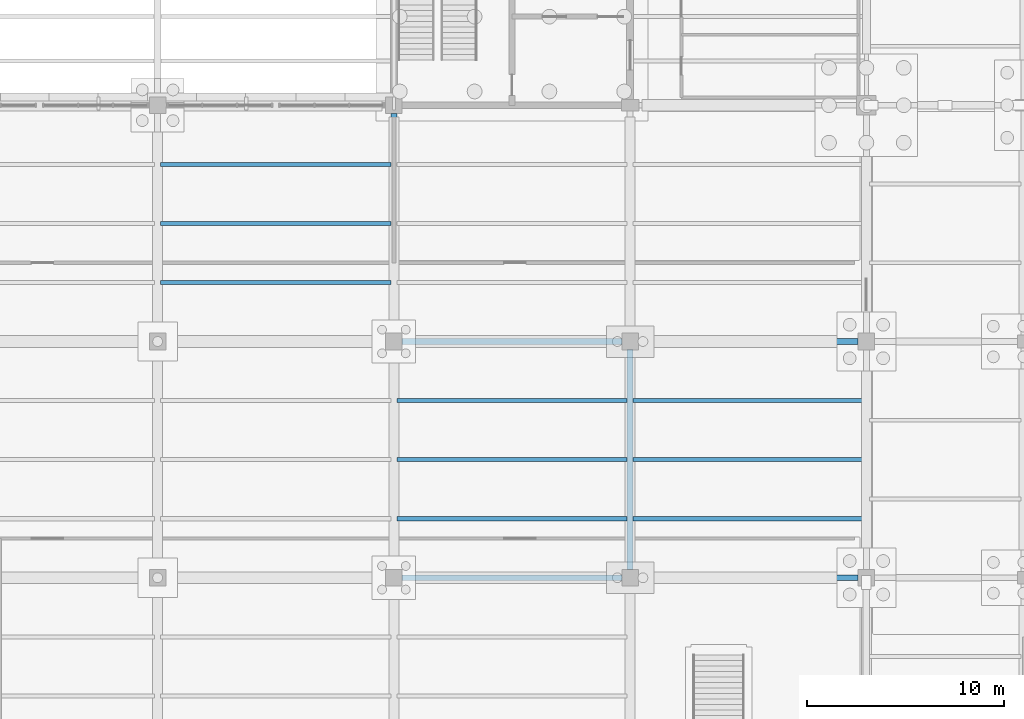
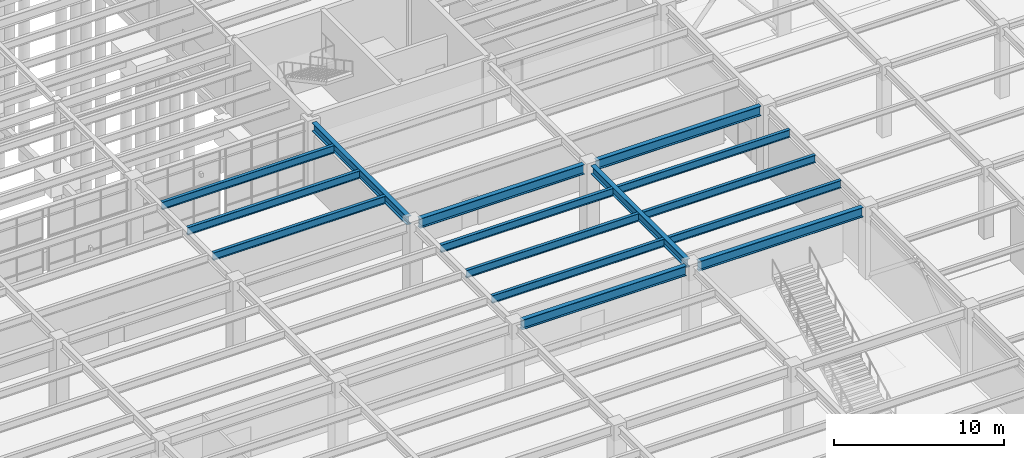
# One storey, part 38 of 85: 15 beams.
"""IFC4 building model written with IfcOpenShell, lengths in metres."""

import ifcopenshell
import ifcopenshell.guid

model = None  # the IFC model being written
_history = None  # IfcOwnerHistory: only IFC2X3 demands one
_inside = {}  # id of a spatial element -> (the spatial element, [elements in it])
_under = {}  # id of a project, library or spatial element -> (it, [spatial elements below it])
_declared = {}  # id of a project -> (the project, [libraries it declares])
_typed = {}  # id of a type object -> (the type object, [elements of that type])
_made_of = {}  # id of a material, layer set ... -> (it, [elements and type objects made of it])


def new_model(schema):
    """Start an empty IFC model of exactly this schema.

    Asked for "IFC4X3", IfcOpenShell would pick the latest addendum, in which some entities
    have other attributes; the version numbers below select the first issue.
    IFC2X3 requires an IfcOwnerHistory on every rooted entity: one is made here for all.
    """
    global model, _history
    if schema == "IFC4X3":
        model = ifcopenshell.file(schema_version=(4, 3, 0, 0))
    else:
        model = ifcopenshell.file(schema=schema)
    _inside.clear()
    _under.clear()
    _declared.clear()
    _typed.clear()
    _made_of.clear()
    _history = None
    if model.schema == "IFC2X3":
        org = make("IfcOrganization", Name="unknown")
        user = make(
            "IfcPersonAndOrganization",
            ThePerson=make("IfcPerson", FamilyName="unknown"),
            TheOrganization=org,
        )
        app = make(
            "IfcApplication",
            ApplicationDeveloper=org,
            Version="unknown",
            ApplicationFullName="unknown",
            ApplicationIdentifier="unknown",
        )
        _history = make(
            "IfcOwnerHistory",
            OwningUser=user,
            OwningApplication=app,
            ChangeAction="ADDED",
            CreationDate=0,
        )
    return model


def make(cls, **values):
    """One entity of the class cls with the attributes given. An attribute that is None is left unset."""
    return model.create_entity(
        cls, **{name: value for name, value in values.items() if value is not None}
    )


def rooted(cls, **values):
    """An entity with a GlobalId (a new one), such as an element, a storey or a relation."""
    return make(cls, GlobalId=ifcopenshell.guid.new(), OwnerHistory=_history, **values)


def si_unit(unit_type, name, prefix=None):
    """IfcSIUnit, for example si_unit("LENGTHUNIT", "METRE", prefix="MILLI")."""
    return make("IfcSIUnit", UnitType=unit_type, Prefix=prefix, Name=name)


def assignment(units):
    """IfcUnitAssignment: the units of a project."""
    return None if units is None else make("IfcUnitAssignment", Units=units)


def point(xyz):
    """IfcCartesianPoint."""
    return None if xyz is None else make("IfcCartesianPoint", Coordinates=xyz)


def direction(xyz):
    """IfcDirection."""
    return None if xyz is None else make("IfcDirection", DirectionRatios=xyz)


def frame(location, z_axis=None, x_axis=None):
    """IfcAxis2Placement3D, a coordinate frame: its origin and axes. An axis left out is left unset."""
    return make(
        "IfcAxis2Placement3D",
        Location=point(location),
        Axis=direction(z_axis),
        RefDirection=direction(x_axis),
    )


def frame_2d(location, x_axis=None):
    """IfcAxis2Placement2D, a coordinate frame in the plane: its origin and x axis."""
    return make(
        "IfcAxis2Placement2D", Location=point(location), RefDirection=direction(x_axis)
    )


def origin():
    """The frame at (0, 0, 0) with its axes left unset."""
    return frame((0.0, 0.0, 0.0))


def origin_2d():
    """The frame at (0, 0) in the plane with its x axis left unset."""
    return frame_2d((0.0, 0.0))


def place(relative_to, where):
    """IfcLocalPlacement: puts the frame where relative to a parent placement (None: the world)."""
    return make(
        "IfcLocalPlacement", PlacementRelTo=relative_to, RelativePlacement=where
    )


def context(
    kind, dimensions, precision=None, world=None, true_north=None, identifier=None
):
    """IfcGeometricRepresentationContext, for example the 3D "Model" context."""
    return make(
        "IfcGeometricRepresentationContext",
        ContextIdentifier=identifier,
        ContextType=kind,
        CoordinateSpaceDimension=dimensions,
        Precision=precision,
        WorldCoordinateSystem=world,
        TrueNorth=true_north,
    )


def subcontext(parent, identifier, kind, view, scale=None):
    """IfcGeometricRepresentationSubContext, for example "Body" below "Model"."""
    return make(
        "IfcGeometricRepresentationSubContext",
        ContextIdentifier=identifier,
        ContextType=kind,
        ParentContext=parent,
        TargetScale=scale,
        TargetView=view,
    )


def project(units=None, contexts=None):
    """IfcProject with its units and contexts."""
    return rooted(
        "IfcProject",
        Name="project",
        RepresentationContexts=contexts,
        UnitsInContext=assignment(units),
    )


def spatial(cls, under=None, at=None, **own):
    """A site, building, storey or space (cls), placed at a placement, below another one or the project."""
    s = rooted(cls, ObjectPlacement=at, **own)
    if under is not None:
        _under.setdefault(under.id(), (under, []))[1].append(s)
    return s


def profile(cls, at=None, kind="AREA", **sizes):
    """A parametric profile (cls). Its sizes go by their IFC names, for example OverallWidth=200.0."""
    return make(cls, ProfileType=kind, Position=at, **sizes)


def i_section(**sizes):
    """IfcIShapeProfileDef."""
    return profile("IfcIShapeProfileDef", **sizes)


def extrude(swept, where, along, depth):
    """IfcExtrudedAreaSolid: the profile swept, set in the frame where, extruded along a direction by depth."""
    return make(
        "IfcExtrudedAreaSolid",
        SweptArea=swept,
        Position=where,
        ExtrudedDirection=direction(along),
        Depth=depth,
    )


def shape(context_of_items, identifier, shape_type, items):
    """IfcShapeRepresentation: the items that make up one representation, for example the "Body"."""
    return make(
        "IfcShapeRepresentation",
        ContextOfItems=context_of_items,
        RepresentationIdentifier=identifier,
        RepresentationType=shape_type,
        Items=items,
    )


def material(Name=None, Category=None):
    """IfcMaterial."""
    return make("IfcMaterial", Name=Name, Category=Category)


def material_profile(
    of_material, cross_section, Name=None, Category=None, Priority=None
):
    """IfcMaterialProfile: a cross section and its material."""
    return make(
        "IfcMaterialProfile",
        Name=Name,
        Material=of_material,
        Profile=cross_section,
        Priority=Priority,
        Category=Category,
    )


def profile_set(profiles, Name=None, composite=None):
    """IfcMaterialProfileSet."""
    return make(
        "IfcMaterialProfileSet",
        Name=Name,
        MaterialProfiles=profiles,
        CompositeProfile=composite,
    )


def made_of(thing, what):
    """Note that an element or type object is made of a material, layer set ...; save() writes the relation."""
    if what is not None:
        _made_of.setdefault(what.id(), (what, []))[1].append(thing)
    return thing


def type_object(cls, material=None, **own):
    """A type object (cls), such as IfcWallType, which elements share."""
    return made_of(rooted(cls, **own), material)


def element(
    cls,
    number,
    at=None,
    inside=None,
    cuts=None,
    type_object=None,
    material=None,
    context=None,
    identifier="Body",
    shape_type=None,
    held_by="IfcProductDefinitionShape",
    body=None,
    shapes=None,
    **own,
):
    """One element of the class cls, such as IfcWall. Its Tag is "e" and its number.

    at: its placement. inside: the storey or other place that contains it. cuts: it is an
    opening in that element (IfcRelVoidsElement). A single representation is given by context,
    identifier, shape_type and body (its items); several are given by shapes. held_by: the class
    of the entity that holds the representations. save() writes the other relations.
    """
    e = rooted(cls, Tag="e%d" % number, ObjectPlacement=at, **own)
    if body is not None:
        shapes = [shape(context, identifier, shape_type, body)]
    if shapes is not None:
        e.Representation = make(held_by, Representations=shapes)
    if inside is not None:
        _inside.setdefault(inside.id(), (inside, []))[1].append(e)
    if cuts is not None:
        rooted(
            "IfcRelVoidsElement", RelatingBuildingElement=cuts, RelatedOpeningElement=e
        )
    if type_object is not None:
        _typed.setdefault(type_object.id(), (type_object, []))[1].append(e)
    return made_of(e, material)


def aggregate(whole, parts):
    """IfcRelAggregates: a whole, such as a stair, and the parts it consists of."""
    return rooted("IfcRelAggregates", RelatingObject=whole, RelatedObjects=parts)


def save(model, path):
    """Write the relations noted so far, then the file.

    IfcRelAggregates (storeys below a building ...), IfcRelContainedInSpatialStructure (elements
    in a storey), IfcRelDefinesByType, IfcRelAssociatesMaterial and IfcRelDeclares: one each for
    every whole, place, type object, material and project.
    """
    for whole, parts in _under.values():
        aggregate(whole, parts)
    for where, things in _inside.values():
        rooted(
            "IfcRelContainedInSpatialStructure",
            RelatedElements=things,
            RelatingStructure=where,
        )
    for kind, things in _typed.values():
        rooted("IfcRelDefinesByType", RelatedObjects=things, RelatingType=kind)
    for what, things in _made_of.values():
        rooted("IfcRelAssociatesMaterial", RelatedObjects=things, RelatingMaterial=what)
    for by, libraries in _declared.values():
        rooted("IfcRelDeclares", RelatingContext=by, RelatedDefinitions=libraries)
    model.write(path)


model = new_model("IFC4")

# Units and contexts
model_context = context("Model", 3, precision=1e-05, world=origin(), true_north=direction((0.0, 1.0)))
body_context = subcontext(model_context, "Body", "Model", "MODEL_VIEW")
ifc_project = project(units=[si_unit("LENGTHUNIT", "METRE"), si_unit("AREAUNIT", "SQUARE_METRE"), si_unit("VOLUMEUNIT", "CUBIC_METRE"), si_unit("PLANEANGLEUNIT", "RADIAN"), si_unit("MASSUNIT", "GRAM", prefix="KILO")], contexts=[model_context])

# Site, building, storey
site_placement = place(None, origin())
site = spatial("IfcSite", under=ifc_project, at=site_placement, CompositionType="ELEMENT")
building_placement = place(site_placement, origin())
building = spatial("IfcBuilding", under=site, at=building_placement, Name="Keelwater Ferry Terminal", CompositionType="ELEMENT")
storey_placement = place(building_placement, origin())
storey = spatial("IfcBuildingStorey", under=building, at=storey_placement, Name="L00", CompositionType="ELEMENT", Elevation=0.0)

# Beams
ifc_material_1 = material(Name="Steel S355", Category="steel")
ifc_material_profile_1 = material_profile(ifc_material_1, i_section(OverallWidth=0.300048828125, OverallDepth=0.699951171875, WebThickness=0.01708984375, FlangeThickness=0.031982421875, at=origin_2d()), Name="HEB 700")
ifc_profile_set_1 = profile_set([ifc_material_profile_1], Name="Steel S355")
beam_type_1 = type_object("IfcBeamType", Name="G2 HEB 700", PredefinedType="BEAM", material=ifc_profile_set_1)
for number, where, z_axis, x_axis, name in (
    (1, (108.416015625, 66.0, 4.7099609375), (1.0, 0.0, 0.0), (0.0, 1.0, 0.0), "Beam BM-L00-0059"),
    (2, (120.416015625, 66.0, 4.7099609375), (1.0, 0.0, 0.0), (0.0, 1.0, 0.0), "Beam BM-L00-0060"),
    (3, (108.416015625, 78.0, 4.7099609375), (1.0, 0.0, 0.0), (0.0, 1.0, 0.0), "Beam BM-L00-0077"),
    (4, (120.416015625, 78.0, 4.7099609375), (1.0, 0.0, 0.0), (0.0, 1.0, 0.0), "Beam BM-L00-0078"),
):
    element("IfcBeam", number, at=place(storey_placement, frame(where, z_axis=z_axis, x_axis=x_axis)), inside=storey, type_object=beam_type_1, Name=name, PredefinedType="BEAM", context=body_context, shape_type="SweptSolid", body=[
        extrude(i_section(OverallWidth=0.300048828125, OverallDepth=0.699951171875, WebThickness=0.01708984375, FlangeThickness=0.031982421875, at=origin_2d()), origin(), (0.0, 0.0, 1.0), 11.16796875),
    ])
ifc_material_2 = material(Name="Steel S355", Category="steel")
ifc_material_profile_2 = material_profile(ifc_material_2, i_section(OverallWidth=0.300048828125, OverallDepth=0.60009765625, WebThickness=0.015380859375, FlangeThickness=0.030029296875, at=origin_2d()), Name="HEB 600")
ifc_profile_set_2 = profile_set([ifc_material_profile_2], Name="Steel S355")
beam_type_2 = type_object("IfcBeamType", Name="G3 HEB 600", PredefinedType="BEAM", material=ifc_profile_set_2)
beam_1_placement = place(storey_placement, frame((120.0, 66.416015625, 4.760009765625), z_axis=(0.0, 1.0, 0.0), x_axis=(-1.0, 0.0, 0.0)))
element("IfcBeam", 5, at=beam_1_placement, inside=storey, type_object=beam_type_2, Name="Beam BM-L00-0238", PredefinedType="BEAM", context=body_context, shape_type="SweptSolid", body=[
    extrude(i_section(OverallWidth=0.300048828125, OverallDepth=0.60009765625, WebThickness=0.015380859375, FlangeThickness=0.030029296875, at=origin_2d()), origin(), (0.0, 0.0, 1.0), 11.16796875),
])
ifc_material_3 = material(Name="Steel S355", Category="steel")
ifc_material_profile_3 = material_profile(ifc_material_3, i_section(OverallWidth=0.300048828125, OverallDepth=0.60009765625, WebThickness=0.015380859375, FlangeThickness=0.030029296875, at=origin_2d()), Name="HEB 600")
ifc_profile_set_3 = profile_set([ifc_material_profile_3], Name="Steel S355")
beam_type_3 = type_object("IfcBeamType", Name="G3E HEB 600", PredefinedType="BEAM", material=ifc_profile_set_3)
beam_2_placement = place(storey_placement, frame((108.0, 78.416015625, 4.760009765625), z_axis=(0.0, 1.0, 0.0), x_axis=(-1.0, 0.0, 0.0)))
element("IfcBeam", 6, at=beam_2_placement, inside=storey, type_object=beam_type_3, Name="Beam BM-L00-0231", PredefinedType="BEAM", context=body_context, shape_type="SweptSolid", body=[
    extrude(i_section(OverallWidth=0.300048828125, OverallDepth=0.60009765625, WebThickness=0.015380859375, FlangeThickness=0.030029296875, at=origin_2d()), origin(), (0.0, 0.0, 1.0), 11.16796875),
])
ifc_material_4 = material(Name="Steel S355", Category="steel")
ifc_material_profile_4 = material_profile(ifc_material_4, i_section(OverallWidth=0.2099609375, OverallDepth=0.550048828125, WebThickness=0.010986328125, FlangeThickness=0.01708984375, at=origin_2d()), Name="IPE 550")
ifc_profile_set_4 = profile_set([ifc_material_profile_4], Name="Steel S355")
beam_type_4 = type_object("IfcBeamType", Name="J2 IPE 550", PredefinedType="JOIST", material=ifc_profile_set_4)
for number, where, z_axis, x_axis, name in (
    (7, (96.14990234375, 81.0, 4.784912109375), (1.0, 0.0, 0.0), (0.0, 1.0, 0.0), "Beam BM-L00-0447"),
    (8, (96.14990234375, 84.0, 4.784912109375), (1.0, 0.0, 0.0), (0.0, 1.0, 0.0), "Beam BM-L00-0448"),
    (9, (96.14990234375, 87.0, 4.784912109375), (1.0, 0.0, 0.0), (0.0, 1.0, 0.0), "Beam BM-L00-0449"),
    (10, (108.14990234375, 69.0, 4.784912109375), (1.0, 0.0, 0.0), (0.0, 1.0, 0.0), "Beam BM-L00-0468"),
    (11, (108.14990234375, 72.0, 4.784912109375), (1.0, 0.0, 0.0), (0.0, 1.0, 0.0), "Beam BM-L00-0469"),
    (12, (108.14990234375, 75.0, 4.784912109375), (1.0, 0.0, 0.0), (0.0, 1.0, 0.0), "Beam BM-L00-0470"),
    (13, (120.14990234375, 69.0, 4.784912109375), (1.0, 0.0, 0.0), (0.0, 1.0, 0.0), "Beam BM-L00-0485"),
    (14, (120.14990234375, 72.0, 4.784912109375), (1.0, 0.0, 0.0), (0.0, 1.0, 0.0), "Beam BM-L00-0486"),
    (15, (120.14990234375, 75.0, 4.784912109375), (1.0, 0.0, 0.0), (0.0, 1.0, 0.0), "Beam BM-L00-0487"),
):
    element("IfcBeam", number, at=place(storey_placement, frame(where, z_axis=z_axis, x_axis=x_axis)), inside=storey, type_object=beam_type_4, Name=name, PredefinedType="JOIST", context=body_context, shape_type="SweptSolid", body=[
        extrude(i_section(OverallWidth=0.2099609375, OverallDepth=0.550048828125, WebThickness=0.010986328125, FlangeThickness=0.01708984375, at=origin_2d()), origin(), (0.0, 0.0, 1.0), 11.7001953125),
    ])

save(model, "model.ifc")
